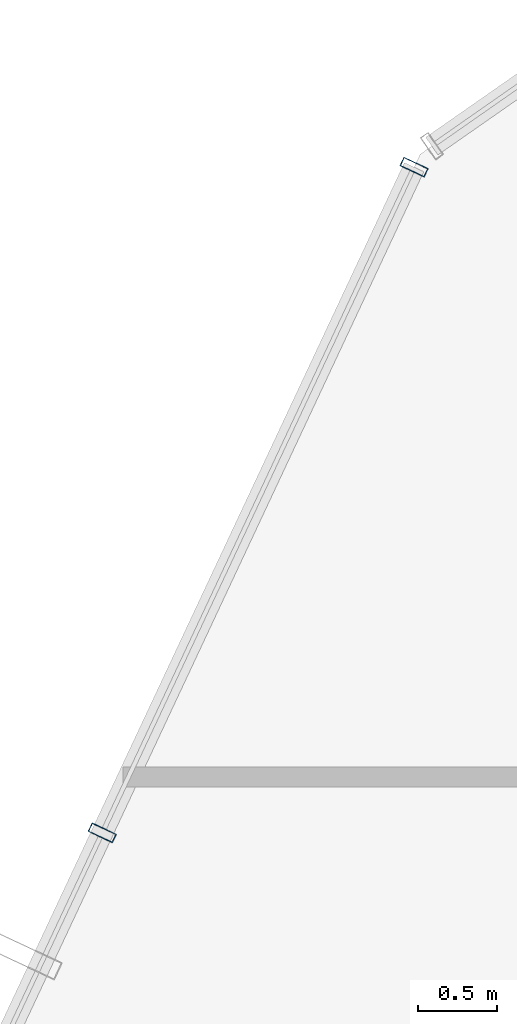
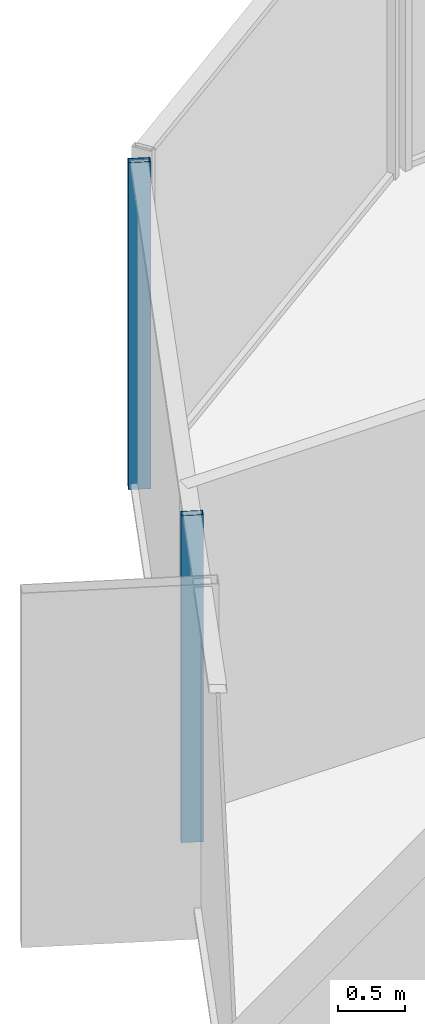
# One storey, part 21 of 37: 2 members, 1 element without a shape of its own.
"""IFC4 building model written with IfcOpenShell, lengths in metres."""

from ifc_helpers import new_model, si_unit, direction, frame, origin, origin_2d, place, context, subcontext, project, spatial, hollow_rectangle, extrude, source, transform, mapped, material, layer, layer_set, material_profile, profile_set, type_object, element, aggregate, save


model = new_model("IFC4")

# Units and contexts
model_context = context("Model", 3, precision=1e-05, world=origin(), true_north=direction((0.0, 1.0)))
body_context = subcontext(model_context, "Body", "Model", "MODEL_VIEW")
ifc_project = project(units=[si_unit("LENGTHUNIT", "METRE"), si_unit("AREAUNIT", "SQUARE_METRE"), si_unit("VOLUMEUNIT", "CUBIC_METRE"), si_unit("PLANEANGLEUNIT", "RADIAN"), si_unit("MASSUNIT", "GRAM", prefix="KILO")], contexts=[model_context])

# Site, building, storey
site_placement = place(None, origin())
site = spatial("IfcSite", under=ifc_project, at=site_placement, CompositionType="ELEMENT")
building_placement = place(site_placement, origin())
building = spatial("IfcBuilding", under=site, at=building_placement, Name="Veraguas Prism Commons", CompositionType="ELEMENT")
storey_placement = place(building_placement, frame((0.0, 0.0, 40.300048828125)))
storey = spatial("IfcBuildingStorey", under=building, at=storey_placement, Name="L10", CompositionType="ELEMENT", Elevation=40.300048828125)

# Curtain wall, members
ifc_material = material(Name="Anodised aluminium EN AW-6063 T6", Category="aluminium")
ifc_layer = layer(ifc_material, 0.169921875, Name="Unitised Flush Curtain Wall Zone 1", Category="aluminium")
ifc_layer_set = layer_set([ifc_layer], Name="Anodised aluminium EN AW-6063 T6")
curtain_wall_type = type_object("IfcCurtainWallType", Name="Unitised Flush Curtain Wall Zone 1", PredefinedType="NOTDEFINED", material=ifc_layer_set)
curtain_wall_placement = place(storey_placement, origin())
curtain_wall = element("IfcCurtainWall", 1, at=curtain_wall_placement, inside=storey, type_object=curtain_wall_type, Name="Tower Facade Curtain Wall L10-F3", PredefinedType="NOTDEFINED")
ifc_material_profile = material_profile(ifc_material, hollow_rectangle(XDim=0.06005859375, YDim=0.169921875, WallThickness=0.00390625, at=origin_2d()), Name="AL60X170X4")
ifc_profile_set = profile_set([ifc_material_profile], Name="Anodised aluminium EN AW-6063 T6")
member_type = type_object("IfcMemberType", Name="Curtain Wall Mullion Lower AL 60x170x4", PredefinedType="MULLION", material=ifc_profile_set)
shared_shape = source(origin(), body_context, "Body", "SweptSolid", [
    extrude(hollow_rectangle(XDim=0.06005859375, YDim=0.169921875, WallThickness=0.00390625, at=origin_2d()), origin(), (0.0, 0.0, 1.0), 3.0),
])
member_1_placement = place(storey_placement, frame((9.128173828125, 41.24951171875, 0.0), z_axis=(0.0, 0.0, 1.0), x_axis=(-0.424194681192, -0.905571020102, 0.0)))
member_1 = element("IfcMember", 2, at=member_1_placement, type_object=member_type, Name="CW-Z1 Mullion 1", PredefinedType="MULLION", context=body_context, shape_type="MappedRepresentation", body=[
    mapped(shared_shape, transform((0.0, 0.0, 0.0), scale=1.0)),
])
member_2_placement = place(storey_placement, frame((7.159423828125, 37.046630859375, 0.0), z_axis=(0.0, 0.0, 1.0), x_axis=(-0.424194681192, -0.905571020102, 0.0)))
member_2 = element("IfcMember", 3, at=member_2_placement, type_object=member_type, Name="CW-Z1 Mullion 2", PredefinedType="MULLION", context=body_context, shape_type="MappedRepresentation", body=[
    mapped(shared_shape, transform((0.0, 0.0, 0.0), scale=1.0)),
])
aggregate(curtain_wall, [member_1, member_2])

save(model, "model.ifc")
